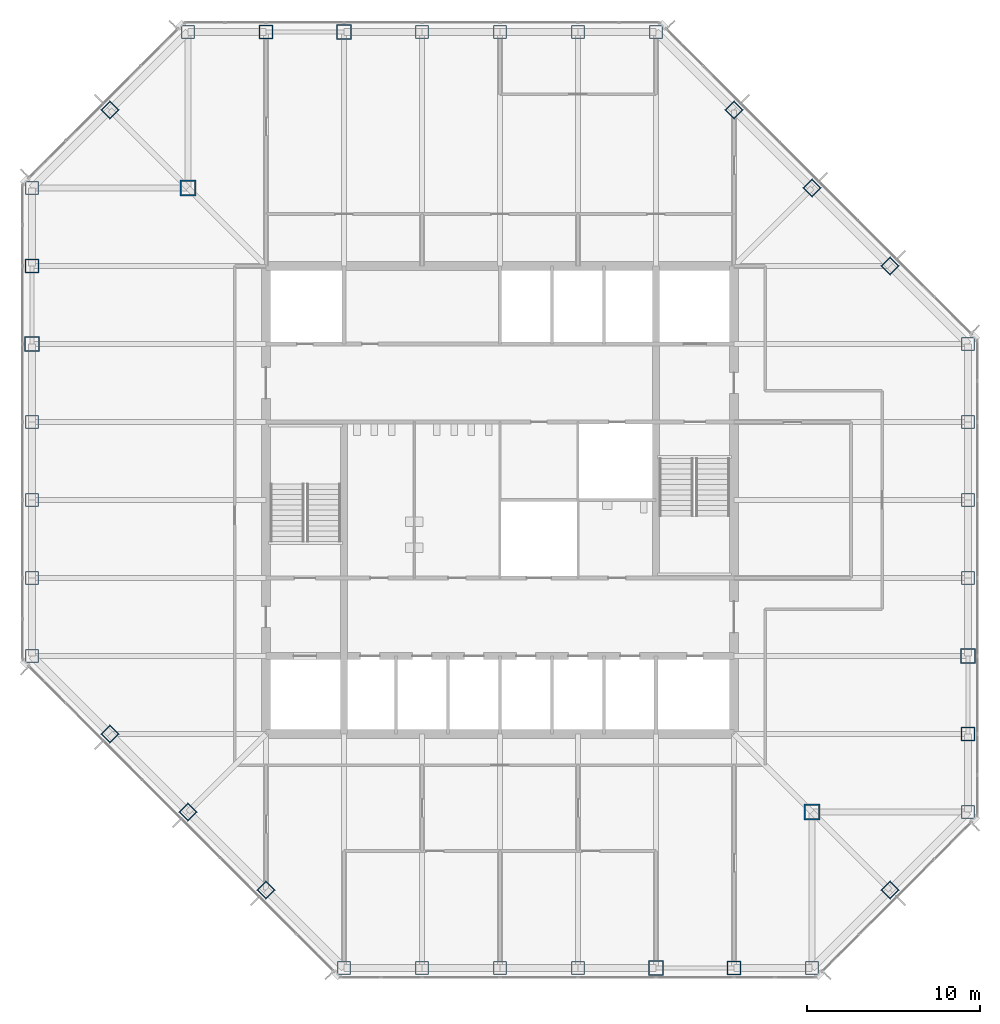
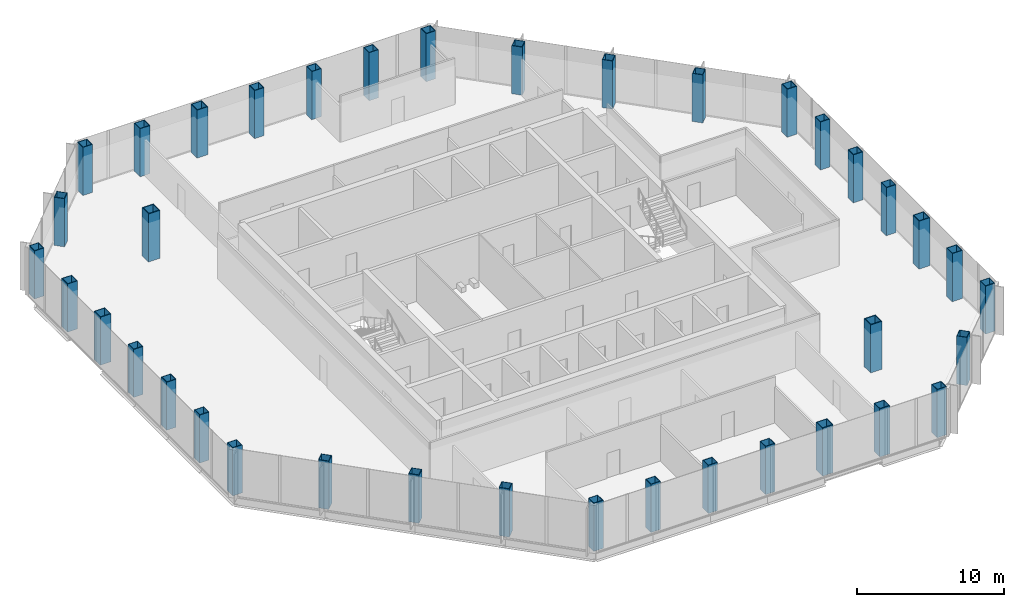
# One storey, part 1 of 12: 38 columns.
"""IFC4 building model written with IfcOpenShell, lengths in metres."""

from ifc_helpers import new_model, si_unit, direction, frame, origin, origin_2d, place, context, subcontext, project, spatial, hollow_rectangle, extrude, material, material_profile, profile_set, type_object, element, save


model = new_model("IFC4")

# Units and contexts
model_context = context("Model", 3, precision=1e-05, world=origin(), true_north=direction((0.0, 1.0)))
body_context = subcontext(model_context, "Body", "Model", "MODEL_VIEW")
ifc_project = project(units=[si_unit("LENGTHUNIT", "METRE"), si_unit("AREAUNIT", "SQUARE_METRE"), si_unit("VOLUMEUNIT", "CUBIC_METRE"), si_unit("PLANEANGLEUNIT", "RADIAN"), si_unit("MASSUNIT", "GRAM", prefix="KILO")], contexts=[model_context])

# Site, building, storey
site_placement = place(None, origin())
site = spatial("IfcSite", under=ifc_project, at=site_placement, CompositionType="ELEMENT")
building_placement = place(site_placement, origin())
building = spatial("IfcBuilding", under=site, at=building_placement, Name="Corais Broadcast Tower", CompositionType="ELEMENT")
storey_placement = place(building_placement, frame((0.0, 0.0, 187.60009765625)))
storey = spatial("IfcBuildingStorey", under=building, at=storey_placement, Name="L43", CompositionType="ELEMENT", Elevation=187.60009765625)

# Columns
ifc_material_1 = material(Name="Steel ASTM A572 Grade 50", Category="steel")
ifc_material_profile_1 = material_profile(ifc_material_1, hollow_rectangle(XDim=0.75, YDim=0.75, WallThickness=0.0400390625, at=origin_2d()), Name="BOX 750x750x40")
ifc_profile_set_1 = profile_set([ifc_material_profile_1], Name="Steel ASTM A572 Grade 50")
column_type_1 = type_object("IfcColumnType", Name="Column BOX 750x750x40", PredefinedType="COLUMN", material=ifc_profile_set_1)
for number, where, z_axis, x_axis, name in (
    (1, (18.0, 0.0, 0.0), (0.0, 0.0, 1.0), (1.0, 0.0, 0.0), "C4 A/7"),
    (2, (22.5, 0.0, 0.0), (0.0, 0.0, 1.0), (1.0, 0.0, 0.0), "C4 A/8"),
    (3, (27.0, 0.0, 0.0), (0.0, 0.0, 1.0), (1.0, 0.0, 0.0), "C4 A/9"),
    (4, (31.5, 0.0, 0.0), (0.0, 0.0, 1.0), (1.0, 0.0, 0.0), "C4 A/10"),
    (5, (45.0, 0.0, 0.0), (0.0, 0.0, 1.0), (1.0, 0.0, 0.0), "C4 A/13"),
    (6, (54.0, 9.0, 0.0), (0.0, 0.0, 1.0), (1.0, 0.0, 0.0), "C4 C/15"),
    (7, (54.0, 22.5, 0.0), (0.0, 0.0, 1.0), (1.0, 0.0, 0.0), "C4 F/15"),
    (8, (54.0, 27.0, 0.0), (0.0, 0.0, 1.0), (1.0, 0.0, 0.0), "C4 G/15"),
    (9, (54.0, 31.5, 0.0), (0.0, 0.0, 1.0), (1.0, 0.0, 0.0), "C4 H/15"),
    (10, (54.0, 36.0, 0.0), (0.0, 0.0, 1.0), (1.0, 0.0, 0.0), "C4 J/15"),
    (11, (36.0, 54.0, 0.0), (0.0, 0.0, 1.0), (1.0, 0.0, 0.0), "C4 N/11"),
    (12, (31.5, 54.0, 0.0), (0.0, 0.0, 1.0), (1.0, 0.0, 0.0), "C4 N/10"),
    (13, (27.0, 54.0, 0.0), (0.0, 0.0, 1.0), (1.0, 0.0, 0.0), "C4 N/9"),
    (14, (22.5, 54.0, 0.0), (0.0, 0.0, 1.0), (1.0, 0.0, 0.0), "C4 N/8"),
    (15, (9.0, 54.0, 0.0), (0.0, 0.0, 1.0), (1.0, 0.0, 0.0), "C4 N/5"),
    (16, (0.0, 45.0, 0.0), (0.0, 0.0, 1.0), (1.0, 0.0, 0.0), "C4 L/3"),
    (17, (0.0, 31.5, 0.0), (0.0, 0.0, 1.0), (1.0, 0.0, 0.0), "C4 H/3"),
    (18, (0.0, 27.0, 0.0), (0.0, 0.0, 1.0), (1.0, 0.0, 0.0), "C4 G/3"),
    (19, (0.0, 22.5, 0.0), (0.0, 0.0, 1.0), (1.0, 0.0, 0.0), "C4 F/3"),
    (20, (0.0, 18.0, 0.0), (0.0, 0.0, 1.0), (1.0, 0.0, 0.0), "C4 E/3"),
    (21, (13.5, 4.5, 0.0), (0.0, 0.0, 1.0), (0.707106781187, 0.707106781187, 0.0), "C4 B/6"),
    (22, (9.0, 9.0, 0.0), (0.0, 0.0, 1.0), (0.707106781187, 0.707106781187, 0.0), "C4 C/5"),
    (23, (4.5, 13.5, 0.0), (0.0, 0.0, 1.0), (0.707106781187, 0.707106781187, 0.0), "C4 D/4"),
    (24, (49.5, 4.5, 0.0), (0.0, 0.0, 1.0), (0.707106781187, 0.707106781187, 0.0), "C4 B/14"),
    (25, (49.5, 40.5, 0.0), (0.0, 0.0, 1.0), (0.707106781187, 0.707106781187, 0.0), "C4 K/14"),
    (26, (45.0, 45.0, 0.0), (0.0, 0.0, 1.0), (0.707106781187, 0.707106781187, 0.0), "C4 L/13"),
    (27, (40.5, 49.5, 0.0), (0.0, 0.0, 1.0), (0.707106781187, 0.707106781187, 0.0), "C4 M/12"),
    (28, (4.5, 49.5, 0.0), (0.0, 0.0, 1.0), (0.707106781187, 0.707106781187, 0.0), "C4 M/4"),
):
    element("IfcColumn", number, at=place(storey_placement, frame(where, z_axis=z_axis, x_axis=x_axis)), inside=storey, type_object=column_type_1, Name=name, PredefinedType="COLUMN", context=body_context, shape_type="SweptSolid", body=[
        extrude(hollow_rectangle(XDim=0.75, YDim=0.75, WallThickness=0.0400390625, at=origin_2d()), origin(), (0.0, 0.0, 1.0), 4.0),
    ])
ifc_material_2 = material(Name="Steel ASTM A572 Grade 50", Category="steel")
ifc_material_profile_2 = material_profile(ifc_material_2, hollow_rectangle(XDim=0.800048828125, YDim=0.800048828125, WallThickness=0.044921875, at=origin_2d()), Name="BOX 800x800x45")
ifc_profile_set_2 = profile_set([ifc_material_profile_2], Name="Steel ASTM A572 Grade 50")
column_type_2 = type_object("IfcColumnType", Name="Column BOX 800x800x45", PredefinedType="COLUMN", material=ifc_profile_set_2)
for number, where, z_axis, x_axis, name in (
    (29, (40.5, 0.0, 0.0), (0.0, 0.0, 1.0), (1.0, 0.0, 0.0), "C3 A/12"),
    (30, (54.0, 13.5, 0.0), (0.0, 0.0, 1.0), (1.0, 0.0, 0.0), "C3 D/15"),
    (31, (13.5, 54.0, 0.0), (0.0, 0.0, 1.0), (1.0, 0.0, 0.0), "C3 N/6"),
    (32, (0.0, 40.5, 0.0), (0.0, 0.0, 1.0), (1.0, 0.0, 0.0), "C3 K/3"),
):
    element("IfcColumn", number, at=place(storey_placement, frame(where, z_axis=z_axis, x_axis=x_axis)), inside=storey, type_object=column_type_2, Name=name, PredefinedType="COLUMN", context=body_context, shape_type="SweptSolid", body=[
        extrude(hollow_rectangle(XDim=0.800048828125, YDim=0.800048828125, WallThickness=0.044921875, at=origin_2d()), origin(), (0.0, 0.0, 1.0), 4.0),
    ])
ifc_material_3 = material(Name="Steel ASTM A572 Grade 50", Category="steel")
ifc_material_profile_3 = material_profile(ifc_material_3, hollow_rectangle(XDim=0.85009765625, YDim=0.85009765625, WallThickness=0.050048828125, at=origin_2d()), Name="BOX 850x850x50")
ifc_profile_set_3 = profile_set([ifc_material_profile_3], Name="Steel ASTM A572 Grade 50")
column_type_3 = type_object("IfcColumnType", Name="Column BOX 850x850x50", PredefinedType="COLUMN", material=ifc_profile_set_3)
for number, where, z_axis, x_axis, name in (
    (33, (36.0, 0.0, 0.0), (0.0, 0.0, 1.0), (1.0, 0.0, 0.0), "C1 A/11"),
    (34, (54.0, 18.0, 0.0), (0.0, 0.0, 1.0), (1.0, 0.0, 0.0), "C1 E/15"),
    (35, (18.0, 54.0, 0.0), (0.0, 0.0, 1.0), (1.0, 0.0, 0.0), "C1 N/7"),
    (36, (0.0, 36.0, 0.0), (0.0, 0.0, 1.0), (1.0, 0.0, 0.0), "C1 J/3"),
):
    element("IfcColumn", number, at=place(storey_placement, frame(where, z_axis=z_axis, x_axis=x_axis)), inside=storey, type_object=column_type_3, Name=name, PredefinedType="COLUMN", context=body_context, shape_type="SweptSolid", body=[
        extrude(hollow_rectangle(XDim=0.85009765625, YDim=0.85009765625, WallThickness=0.050048828125, at=origin_2d()), origin(), (0.0, 0.0, 1.0), 4.0),
    ])
ifc_material_4 = material(Name="Steel ASTM A572 Grade 50", Category="steel")
ifc_material_profile_4 = material_profile(ifc_material_4, hollow_rectangle(XDim=0.89990234375, YDim=0.89990234375, WallThickness=0.06298828125, at=origin_2d()), Name="BOX 900x900x63")
ifc_profile_set_4 = profile_set([ifc_material_profile_4], Name="Steel ASTM A572 Grade 50")
column_type_4 = type_object("IfcColumnType", Name="Column BOX 900x900x63", PredefinedType="COLUMN", material=ifc_profile_set_4)
for number, where, z_axis, x_axis, name in (
    (37, (45.0, 9.0, 0.0), (0.0, 0.0, 1.0), (1.0, 0.0, 0.0), "C2 C/13"),
    (38, (9.0, 45.0, 0.0), (0.0, 0.0, 1.0), (1.0, 0.0, 0.0), "C2 L/5"),
):
    element("IfcColumn", number, at=place(storey_placement, frame(where, z_axis=z_axis, x_axis=x_axis)), inside=storey, type_object=column_type_4, Name=name, PredefinedType="COLUMN", context=body_context, shape_type="SweptSolid", body=[
        extrude(hollow_rectangle(XDim=0.89990234375, YDim=0.89990234375, WallThickness=0.06298828125, at=origin_2d()), origin(), (0.0, 0.0, 1.0), 4.0),
    ])

save(model, "model.ifc")
